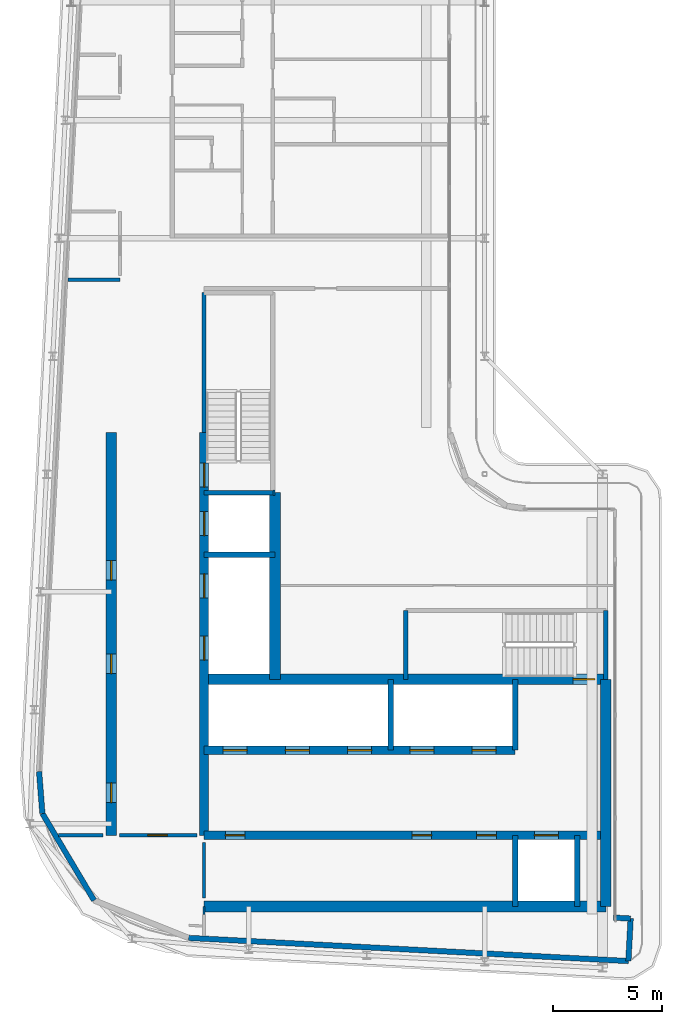
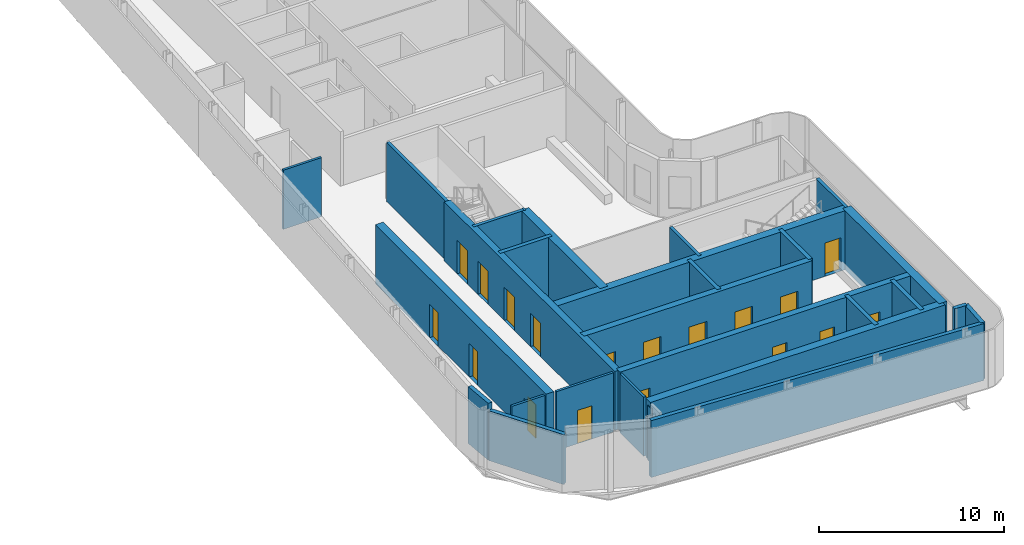
# One storey, part 9 of 19: 28 walls, 18 doors, 18 openings.
"""IFC4 building model written with IfcOpenShell, lengths in metres."""

from ifc_helpers import new_model, si_unit, direction, frame, frame_2d, origin, place, context, subcontext, project, spatial, rectangle, extrude, source, transform, mapped, material, layer, layer_set, type_object, element, fill, save


model = new_model("IFC4")

# Units and contexts
model_context = context("Model", 3, precision=1e-05, world=origin(), true_north=direction((0.0, 1.0)))
body_context = subcontext(model_context, "Body", "Model", "MODEL_VIEW")
ifc_project = project(units=[si_unit("LENGTHUNIT", "METRE"), si_unit("AREAUNIT", "SQUARE_METRE"), si_unit("VOLUMEUNIT", "CUBIC_METRE"), si_unit("PLANEANGLEUNIT", "RADIAN"), si_unit("MASSUNIT", "GRAM", prefix="KILO")], contexts=[model_context])

# Site, building, storey
site_placement = place(None, origin())
site = spatial("IfcSite", under=ifc_project, at=site_placement, CompositionType="ELEMENT")
building_placement = place(site_placement, origin())
building = spatial("IfcBuilding", under=site, at=building_placement, Name="Kheshtan School and Residences Tower", CompositionType="ELEMENT")
storey_placement = place(building_placement, frame((0.0, 0.0, 350.0)))
storey = spatial("IfcBuildingStorey", under=building, at=storey_placement, Name="L82", CompositionType="ELEMENT", Elevation=350.0)

# Wall, openings, doors
ifc_material_1 = material(Name="Concrete C50/60", Category="concrete")
ifc_layer_1 = layer(ifc_material_1, 0.39990234375)
ifc_layer_set_1 = layer_set([ifc_layer_1], Name="Core wall 400 Concrete C50/60")
wall_type_1 = type_object("IfcWallType", Name="Core wall 400 Concrete C50/60", PredefinedType="SHEAR", material=ifc_layer_set_1)
wall_1_placement = place(storey_placement, frame((34.75, 29.050048828125, 0.0), z_axis=(0.0, 0.0, 1.0), x_axis=(1.0, 0.0, 0.0)))
wall_1 = element("IfcWall", 1, at=wall_1_placement, inside=storey, type_object=wall_type_1, Name="Core wall CW-HALL-S1", PredefinedType="SHEAR", context=body_context, shape_type="SweptSolid", body=[
    extrude(rectangle(XDim=18.39990234375, YDim=0.39990234375, at=frame_2d((9.199951171875, 0.0))), origin(), (0.0, 0.0, 1.0), 3.89990234375),
])
opening_1_placement = place(wall_1_placement, frame((15.125, 0.0, 0.0)))
opening_1 = element("IfcOpeningElement", 2, at=opening_1_placement, cuts=wall_1, Name="Opening LD", PredefinedType="OPENING", context=body_context, shape_type="SweptSolid", body=[
    extrude(rectangle(XDim=1.10009765625, YDim=2.199951171875, at=frame_2d((0.550048828125, 1.10009765625))), frame((0.0, 0.2099609375, 0.0), z_axis=(0.0, -1.0, 0.0), x_axis=(1.0, 0.0, 0.0)), (0.0, 0.0, 1.0), 0.419921875),
])
opening_2_placement = place(wall_1_placement, frame((0.97509765625, 0.0, 0.0)))
opening_2 = element("IfcOpeningElement", 3, at=opening_2_placement, cuts=wall_1, Name="Opening SR90", PredefinedType="OPENING", context=body_context, shape_type="SweptSolid", body=[
    extrude(rectangle(XDim=0.89990234375, YDim=2.199951171875, at=frame_2d((0.449951171875, 1.10009765625))), frame((0.0, 0.2099609375, 0.0), z_axis=(0.0, -1.0, 0.0), x_axis=(1.0, 0.0, 0.0)), (0.0, 0.0, 1.0), 0.419921875),
])
opening_3_placement = place(wall_1_placement, frame((9.52490234375, 0.0, 0.0)))
opening_3 = element("IfcOpeningElement", 4, at=opening_3_placement, cuts=wall_1, Name="Opening SR90", PredefinedType="OPENING", context=body_context, shape_type="SweptSolid", body=[
    extrude(rectangle(XDim=0.89990234375, YDim=2.199951171875, at=frame_2d((0.449951171875, 1.10009765625))), frame((0.0, 0.2099609375, 0.0), z_axis=(0.0, -1.0, 0.0), x_axis=(1.0, 0.0, 0.0)), (0.0, 0.0, 1.0), 0.419921875),
])
opening_4_placement = place(wall_1_placement, frame((12.488037109375, 0.0, 0.0)))
opening_4 = element("IfcOpeningElement", 5, at=opening_4_placement, cuts=wall_1, Name="Opening SR90", PredefinedType="OPENING", context=body_context, shape_type="SweptSolid", body=[
    extrude(rectangle(XDim=0.89990234375, YDim=2.199951171875, at=frame_2d((0.449951171875, 1.10009765625))), frame((0.0, 0.2099609375, 0.0), z_axis=(0.0, -1.0, 0.0), x_axis=(1.0, 0.0, 0.0)), (0.0, 0.0, 1.0), 0.419921875),
])
ifc_material_2 = material(Name="Stainless steel door leaves", Category="steel")
door_type_1 = type_object("IfcDoorType", Name="Lift landing door 1100", OperationType="SLIDING_TO_LEFT", PredefinedType="DOOR", material=ifc_material_2)
shared_shape_1 = source(origin(), body_context, "Body", "SweptSolid", [
    extrude(rectangle(XDim=1.10009765625, YDim=2.199951171875, at=frame_2d((0.550048828125, 1.10009765625))), frame((0.0, 0.02490234375, 0.0), z_axis=(0.0, -1.0, 0.0), x_axis=(1.0, 0.0, 0.0)), (0.0, 0.0, 1.0), 0.050048828125),
])
door_1_placement = place(opening_1_placement, origin())
door_1 = element("IfcDoor", 6, at=door_1_placement, inside=storey, type_object=door_type_1, Name="Lift FFL2 landing door", OperationType="SLIDING_TO_LEFT", OverallHeight=2.199951171875, OverallWidth=1.10009765625, PredefinedType="DOOR", context=body_context, shape_type="MappedRepresentation", body=[
    mapped(shared_shape_1, transform((0.0, 0.0, 0.0), x_axis=(1.0, 0.0, 0.0), y_axis=(0.0, 1.0, 0.0), z_axis=(0.0, 0.0, 1.0), scale=1.0)),
])
fill(opening_1, door_1)
ifc_material_3 = material(Name="Steel door leaf, galvanised", Category="steel")
door_type_2 = type_object("IfcDoorType", Name="Service room door 900 steel 90 min", OperationType="SINGLE_SWING_LEFT", PredefinedType="DOOR", material=ifc_material_3)
shared_shape_2 = source(origin(), body_context, "Body", "SweptSolid", [
    extrude(rectangle(XDim=0.89990234375, YDim=2.199951171875, at=frame_2d((0.449951171875, 1.10009765625))), frame((0.0, 0.02490234375, 0.0), z_axis=(0.0, -1.0, 0.0), x_axis=(1.0, 0.0, 0.0)), (0.0, 0.0, 1.0), 0.050048828125),
])
door_2_placement = place(opening_2_placement, origin())
door_2 = element("IfcDoor", 7, at=door_2_placement, inside=storey, type_object=door_type_2, Name="Service room door", OperationType="SINGLE_SWING_LEFT", OverallHeight=2.199951171875, OverallWidth=0.89990234375, PredefinedType="DOOR", context=body_context, shape_type="MappedRepresentation", body=[
    mapped(shared_shape_2, transform((0.0, 0.0, 0.0), x_axis=(1.0, 0.0, 0.0), y_axis=(0.0, 1.0, 0.0), z_axis=(0.0, 0.0, 1.0), scale=1.0)),
])
fill(opening_2, door_2)
door_3_placement = place(opening_3_placement, origin())
door_3 = element("IfcDoor", 8, at=door_3_placement, inside=storey, type_object=door_type_2, Name="Service room door", OperationType="SINGLE_SWING_RIGHT", OverallHeight=2.199951171875, OverallWidth=0.89990234375, PredefinedType="DOOR", context=body_context, shape_type="MappedRepresentation", body=[
    mapped(shared_shape_2, transform((0.0, 0.0, 0.0), x_axis=(1.0, 0.0, 0.0), y_axis=(0.0, 1.0, 0.0), z_axis=(0.0, 0.0, 1.0), scale=1.0)),
])
fill(opening_3, door_3)
door_4_placement = place(opening_4_placement, origin())
door_4 = element("IfcDoor", 9, at=door_4_placement, inside=storey, type_object=door_type_2, Name="Service room door", OperationType="SINGLE_SWING_LEFT", OverallHeight=2.199951171875, OverallWidth=0.89990234375, PredefinedType="DOOR", context=body_context, shape_type="MappedRepresentation", body=[
    mapped(shared_shape_2, transform((0.0, 0.0, 0.0), x_axis=(1.0, 0.0, 0.0), y_axis=(0.0, 1.0, 0.0), z_axis=(0.0, 0.0, 1.0), scale=1.0)),
])
fill(opening_4, door_4)

wall_2_placement = place(storey_placement, frame((34.75, 32.949951171875, 0.0), z_axis=(0.0, 0.0, 1.0), x_axis=(1.0, 0.0, 0.0)))
wall_2 = element("IfcWall", 10, at=wall_2_placement, inside=storey, type_object=wall_type_1, Name="Core wall CW-HALL-S2", PredefinedType="SHEAR", context=body_context, shape_type="SweptSolid", body=[
    extrude(rectangle(XDim=14.25, YDim=0.39990234375, at=frame_2d((7.125, 0.0))), origin(), (0.0, 0.0, 1.0), 3.89990234375),
])
opening_5_placement = place(wall_2_placement, frame((0.875, 0.0, 0.0)))
opening_5 = element("IfcOpeningElement", 11, at=opening_5_placement, cuts=wall_2, Name="Opening LD", PredefinedType="OPENING", context=body_context, shape_type="SweptSolid", body=[
    extrude(rectangle(XDim=1.10009765625, YDim=2.199951171875, at=frame_2d((0.550048828125, 1.10009765625))), frame((0.0, 0.2099609375, 0.0), z_axis=(0.0, -1.0, 0.0), x_axis=(1.0, 0.0, 0.0)), (0.0, 0.0, 1.0), 0.419921875),
])
opening_6_placement = place(wall_2_placement, frame((3.72509765625, 0.0, 0.0)))
opening_6 = element("IfcOpeningElement", 12, at=opening_6_placement, cuts=wall_2, Name="Opening LD", PredefinedType="OPENING", context=body_context, shape_type="SweptSolid", body=[
    extrude(rectangle(XDim=1.10009765625, YDim=2.199951171875, at=frame_2d((0.550048828125, 1.10009765625))), frame((0.0, 0.2099609375, 0.0), z_axis=(0.0, -1.0, 0.0), x_axis=(1.0, 0.0, 0.0)), (0.0, 0.0, 1.0), 0.419921875),
])
opening_7_placement = place(wall_2_placement, frame((6.574951171875, 0.0, 0.0)))
opening_7 = element("IfcOpeningElement", 13, at=opening_7_placement, cuts=wall_2, Name="Opening LD", PredefinedType="OPENING", context=body_context, shape_type="SweptSolid", body=[
    extrude(rectangle(XDim=1.10009765625, YDim=2.199951171875, at=frame_2d((0.550048828125, 1.10009765625))), frame((0.0, 0.2099609375, 0.0), z_axis=(0.0, -1.0, 0.0), x_axis=(1.0, 0.0, 0.0)), (0.0, 0.0, 1.0), 0.419921875),
])
opening_8_placement = place(wall_2_placement, frame((9.425048828125, 0.0, 0.0)))
opening_8 = element("IfcOpeningElement", 14, at=opening_8_placement, cuts=wall_2, Name="Opening LD", PredefinedType="OPENING", context=body_context, shape_type="SweptSolid", body=[
    extrude(rectangle(XDim=1.10009765625, YDim=2.199951171875, at=frame_2d((0.550048828125, 1.10009765625))), frame((0.0, 0.2099609375, 0.0), z_axis=(0.0, -1.0, 0.0), x_axis=(1.0, 0.0, 0.0)), (0.0, 0.0, 1.0), 0.419921875),
])
opening_9_placement = place(wall_2_placement, frame((12.27490234375, 0.0, 0.0)))
opening_9 = element("IfcOpeningElement", 15, at=opening_9_placement, cuts=wall_2, Name="Opening LD", PredefinedType="OPENING", context=body_context, shape_type="SweptSolid", body=[
    extrude(rectangle(XDim=1.10009765625, YDim=2.199951171875, at=frame_2d((0.550048828125, 1.10009765625))), frame((0.0, 0.2099609375, 0.0), z_axis=(0.0, -1.0, 0.0), x_axis=(1.0, 0.0, 0.0)), (0.0, 0.0, 1.0), 0.419921875),
])
door_5_placement = place(opening_5_placement, origin())
door_5 = element("IfcDoor", 16, at=door_5_placement, inside=storey, type_object=door_type_1, Name="Lift P12 landing door", OperationType="SLIDING_TO_LEFT", OverallHeight=2.199951171875, OverallWidth=1.10009765625, PredefinedType="DOOR", context=body_context, shape_type="MappedRepresentation", body=[
    mapped(shared_shape_1, transform((0.0, 0.0, 0.0), x_axis=(1.0, 0.0, 0.0), y_axis=(0.0, 1.0, 0.0), z_axis=(0.0, 0.0, 1.0), scale=1.0)),
])
fill(opening_5, door_5)
door_6_placement = place(opening_6_placement, origin())
door_6 = element("IfcDoor", 17, at=door_6_placement, inside=storey, type_object=door_type_1, Name="Lift P13 landing door", OperationType="SLIDING_TO_LEFT", OverallHeight=2.199951171875, OverallWidth=1.10009765625, PredefinedType="DOOR", context=body_context, shape_type="MappedRepresentation", body=[
    mapped(shared_shape_1, transform((0.0, 0.0, 0.0), x_axis=(1.0, 0.0, 0.0), y_axis=(0.0, 1.0, 0.0), z_axis=(0.0, 0.0, 1.0), scale=1.0)),
])
fill(opening_6, door_6)
door_7_placement = place(opening_7_placement, origin())
door_7 = element("IfcDoor", 18, at=door_7_placement, inside=storey, type_object=door_type_1, Name="Lift P14 landing door", OperationType="SLIDING_TO_LEFT", OverallHeight=2.199951171875, OverallWidth=1.10009765625, PredefinedType="DOOR", context=body_context, shape_type="MappedRepresentation", body=[
    mapped(shared_shape_1, transform((0.0, 0.0, 0.0), x_axis=(1.0, 0.0, 0.0), y_axis=(0.0, 1.0, 0.0), z_axis=(0.0, 0.0, 1.0), scale=1.0)),
])
fill(opening_7, door_7)
door_8_placement = place(opening_8_placement, origin())
door_8 = element("IfcDoor", 19, at=door_8_placement, inside=storey, type_object=door_type_1, Name="Lift P15 landing door", OperationType="SLIDING_TO_LEFT", OverallHeight=2.199951171875, OverallWidth=1.10009765625, PredefinedType="DOOR", context=body_context, shape_type="MappedRepresentation", body=[
    mapped(shared_shape_1, transform((0.0, 0.0, 0.0), x_axis=(1.0, 0.0, 0.0), y_axis=(0.0, 1.0, 0.0), z_axis=(0.0, 0.0, 1.0), scale=1.0)),
])
fill(opening_8, door_8)
door_9_placement = place(opening_9_placement, origin())
door_9 = element("IfcDoor", 20, at=door_9_placement, inside=storey, type_object=door_type_1, Name="Lift P16 landing door", OperationType="SLIDING_TO_LEFT", OverallHeight=2.199951171875, OverallWidth=1.10009765625, PredefinedType="DOOR", context=body_context, shape_type="MappedRepresentation", body=[
    mapped(shared_shape_1, transform((0.0, 0.0, 0.0), x_axis=(1.0, 0.0, 0.0), y_axis=(0.0, 1.0, 0.0), z_axis=(0.0, 0.0, 1.0), scale=1.0)),
])
fill(opening_9, door_9)

wall_3_placement = place(storey_placement, frame((34.75, 29.050048828125, 0.0), z_axis=(0.0, 0.0, 1.0), x_axis=(0.0, 1.0, 0.0)))
wall_3 = element("IfcWall", 21, at=wall_3_placement, inside=storey, type_object=wall_type_1, Name="Core wall CW-HALL-W1", PredefinedType="SHEAR", context=body_context, shape_type="SweptSolid", body=[
    extrude(rectangle(XDim=18.449951171875, YDim=0.39990234375, at=frame_2d((9.22509765625, 0.0))), origin(), (0.0, 0.0, 1.0), 3.89990234375),
])
opening_10_placement = place(wall_3_placement, frame((8.02490234375, 0.0, 0.0)))
opening_10 = element("IfcOpeningElement", 22, at=opening_10_placement, cuts=wall_3, Name="Opening LD", PredefinedType="OPENING", context=body_context, shape_type="SweptSolid", body=[
    extrude(rectangle(XDim=1.10009765625, YDim=2.199951171875, at=frame_2d((0.550048828125, 1.10009765625))), frame((0.0, 0.2099609375, 0.0), z_axis=(0.0, -1.0, 0.0), x_axis=(1.0, 0.0, 0.0)), (0.0, 0.0, 1.0), 0.419921875),
])
opening_11_placement = place(wall_3_placement, frame((10.875, 0.0, 0.0)))
opening_11 = element("IfcOpeningElement", 23, at=opening_11_placement, cuts=wall_3, Name="Opening LD", PredefinedType="OPENING", context=body_context, shape_type="SweptSolid", body=[
    extrude(rectangle(XDim=1.10009765625, YDim=2.199951171875, at=frame_2d((0.550048828125, 1.10009765625))), frame((0.0, 0.2099609375, 0.0), z_axis=(0.0, -1.0, 0.0), x_axis=(1.0, 0.0, 0.0)), (0.0, 0.0, 1.0), 0.419921875),
])
opening_12_placement = place(wall_3_placement, frame((13.72509765625, 0.0, 0.0)))
opening_12 = element("IfcOpeningElement", 24, at=opening_12_placement, cuts=wall_3, Name="Opening LD", PredefinedType="OPENING", context=body_context, shape_type="SweptSolid", body=[
    extrude(rectangle(XDim=1.10009765625, YDim=2.199951171875, at=frame_2d((0.550048828125, 1.10009765625))), frame((0.0, 0.2099609375, 0.0), z_axis=(0.0, -1.0, 0.0), x_axis=(1.0, 0.0, 0.0)), (0.0, 0.0, 1.0), 0.419921875),
])
opening_13_placement = place(wall_3_placement, frame((15.949951171875, 0.0, 0.0)))
opening_13 = element("IfcOpeningElement", 25, at=opening_13_placement, cuts=wall_3, Name="Opening ST2D", PredefinedType="OPENING", context=body_context, shape_type="SweptSolid", body=[
    extrude(rectangle(XDim=1.10009765625, YDim=2.199951171875, at=frame_2d((0.550048828125, 1.10009765625))), frame((0.0, 0.2099609375, 0.0), z_axis=(0.0, -1.0, 0.0), x_axis=(1.0, 0.0, 0.0)), (0.0, 0.0, 1.0), 0.419921875),
])
door_10_placement = place(opening_10_placement, origin())
door_10 = element("IfcDoor", 26, at=door_10_placement, inside=storey, type_object=door_type_1, Name="Lift SV1 landing door", OperationType="SLIDING_TO_LEFT", OverallHeight=2.199951171875, OverallWidth=1.10009765625, PredefinedType="DOOR", context=body_context, shape_type="MappedRepresentation", body=[
    mapped(shared_shape_1, transform((0.0, 0.0, 0.0), x_axis=(1.0, 0.0, 0.0), y_axis=(0.0, 1.0, 0.0), z_axis=(0.0, 0.0, 1.0), scale=1.0)),
])
fill(opening_10, door_10)
door_11_placement = place(opening_11_placement, origin())
door_11 = element("IfcDoor", 27, at=door_11_placement, inside=storey, type_object=door_type_1, Name="Lift SV2 landing door", OperationType="SLIDING_TO_LEFT", OverallHeight=2.199951171875, OverallWidth=1.10009765625, PredefinedType="DOOR", context=body_context, shape_type="MappedRepresentation", body=[
    mapped(shared_shape_1, transform((0.0, 0.0, 0.0), x_axis=(1.0, 0.0, 0.0), y_axis=(0.0, 1.0, 0.0), z_axis=(0.0, 0.0, 1.0), scale=1.0)),
])
fill(opening_11, door_11)
door_12_placement = place(opening_12_placement, origin())
door_12 = element("IfcDoor", 28, at=door_12_placement, inside=storey, type_object=door_type_1, Name="Lift FFL1 landing door", OperationType="SLIDING_TO_LEFT", OverallHeight=2.199951171875, OverallWidth=1.10009765625, PredefinedType="DOOR", context=body_context, shape_type="MappedRepresentation", body=[
    mapped(shared_shape_1, transform((0.0, 0.0, 0.0), x_axis=(1.0, 0.0, 0.0), y_axis=(0.0, 1.0, 0.0), z_axis=(0.0, 0.0, 1.0), scale=1.0)),
])
fill(opening_12, door_12)
door_type_3 = type_object("IfcDoorType", Name="Stair door 1100 steel 90 min", OperationType="SINGLE_SWING_LEFT", PredefinedType="DOOR", material=ifc_material_3)
shared_shape_3 = source(origin(), body_context, "Body", "SweptSolid", [
    extrude(rectangle(XDim=1.10009765625, YDim=2.199951171875, at=frame_2d((0.550048828125, 1.10009765625))), frame((0.0, 0.02490234375, 0.0), z_axis=(0.0, -1.0, 0.0), x_axis=(1.0, 0.0, 0.0)), (0.0, 0.0, 1.0), 0.050048828125),
])
door_13_placement = place(opening_13_placement, origin())
door_13 = element("IfcDoor", 29, at=door_13_placement, inside=storey, type_object=door_type_3, Name="Stair ST2 door", OperationType="SINGLE_SWING_RIGHT", OverallHeight=2.199951171875, OverallWidth=1.10009765625, PredefinedType="DOOR", context=body_context, shape_type="MappedRepresentation", body=[
    mapped(shared_shape_3, transform((0.0, 0.0, 0.0), x_axis=(1.0, 0.0, 0.0), y_axis=(0.0, 1.0, 0.0), z_axis=(0.0, 0.0, 1.0), scale=1.0)),
])
fill(opening_13, door_13)

# Wall
ifc_layer_2 = layer(ifc_material_1, 0.5)
ifc_layer_set_2 = layer_set([ifc_layer_2], Name="Core wall 500 Concrete C50/60")
wall_type_2 = type_object("IfcWallType", Name="Core wall 500 Concrete C50/60", PredefinedType="SHEAR", material=ifc_layer_set_2)
wall_4_placement = place(storey_placement, frame((34.75, 25.800048828125, 0.0), z_axis=(0.0, 0.0, 1.0), x_axis=(1.0, 0.0, 0.0)))
element("IfcWall", 30, at=wall_4_placement, inside=storey, type_object=wall_type_2, Name="Core wall CW-REAR-S", PredefinedType="SHEAR", context=body_context, shape_type="SweptSolid", body=[
    extrude(rectangle(XDim=18.39990234375, YDim=0.5, at=frame_2d((9.199951171875, 0.0))), origin(), (0.0, 0.0, 1.0), 3.89990234375),
])

# Wall, opening, door
wall_5_placement = place(storey_placement, frame((34.75, 36.199951171875, 0.0), z_axis=(0.0, 0.0, 1.0), x_axis=(1.0, 0.0, 0.0)))
wall_5 = element("IfcWall", 31, at=wall_5_placement, inside=storey, type_object=wall_type_2, Name="Core wall CW-FRONT-S", PredefinedType="SHEAR", context=body_context, shape_type="SweptSolid", body=[
    extrude(rectangle(XDim=18.39990234375, YDim=0.5, at=frame_2d((9.199951171875, 0.0))), origin(), (0.0, 0.0, 1.0), 3.89990234375),
])
opening_14_placement = place(wall_5_placement, frame((16.89990234375, 0.0, 0.0)))
opening_14 = element("IfcOpeningElement", 32, at=opening_14_placement, cuts=wall_5, Name="Opening ST1D", PredefinedType="OPENING", context=body_context, shape_type="SweptSolid", body=[
    extrude(rectangle(XDim=1.0, YDim=2.199951171875, at=frame_2d((0.5, 1.10009765625))), frame((0.0, 0.260009765625, 0.0), z_axis=(0.0, -1.0, 0.0), x_axis=(1.0, 0.0, 0.0)), (0.0, 0.0, 1.0), 0.52001953125),
])
shared_shape_4 = source(origin(), body_context, "Body", "SweptSolid", [
    extrude(rectangle(XDim=1.0, YDim=2.199951171875, at=frame_2d((0.5, 1.10009765625))), frame((0.0, 0.02490234375, 0.0), z_axis=(0.0, -1.0, 0.0), x_axis=(1.0, 0.0, 0.0)), (0.0, 0.0, 1.0), 0.050048828125),
])
door_14_placement = place(opening_14_placement, origin())
door_14 = element("IfcDoor", 33, at=door_14_placement, inside=storey, type_object=door_type_3, Name="Stair ST1 door", OperationType="SINGLE_SWING_RIGHT", OverallHeight=2.199951171875, OverallWidth=1.0, PredefinedType="DOOR", context=body_context, shape_type="MappedRepresentation", body=[
    mapped(shared_shape_4, transform((0.0, 0.0, 0.0), x_axis=(1.0, 0.0, 0.0), y_axis=(0.0, 1.0, 0.0), z_axis=(0.0, 0.0, 1.0), scale=1.0)),
])
fill(opening_14, door_14)

# Wall
wall_6_placement = place(storey_placement, frame((38.0, 36.199951171875, 0.0), z_axis=(0.0, 0.0, 1.0), x_axis=(0.0, 1.0, 0.0)))
element("IfcWall", 34, at=wall_6_placement, inside=storey, type_object=wall_type_2, Name="Core wall CW-FRONT-W", PredefinedType="SHEAR", context=body_context, shape_type="SweptSolid", body=[
    extrude(rectangle(XDim=8.550048828125, YDim=0.5, at=frame_2d((4.27490234375, 0.0))), origin(), (0.0, 0.0, 1.0), 3.89990234375),
])

# Wall, openings, doors
wall_7_placement = place(storey_placement, frame((30.5, 29.050048828125, 0.0), z_axis=(0.0, 0.0, 1.0), x_axis=(0.0, 1.0, 0.0)))
wall_7 = element("IfcWall", 35, at=wall_7_placement, inside=storey, type_object=wall_type_2, Name="Core wall CW-REAR-W", PredefinedType="SHEAR", context=body_context, shape_type="SweptSolid", body=[
    extrude(rectangle(XDim=18.449951171875, YDim=0.5, at=frame_2d((9.22509765625, 0.0))), origin(), (0.0, 0.0, 1.0), 3.89990234375),
])
opening_15_placement = place(wall_7_placement, frame((1.5, 0.0, 0.0)))
opening_15 = element("IfcOpeningElement", 36, at=opening_15_placement, cuts=wall_7, Name="Opening SR90", PredefinedType="OPENING", context=body_context, shape_type="SweptSolid", body=[
    extrude(rectangle(XDim=0.89990234375, YDim=2.199951171875, at=frame_2d((0.449951171875, 1.10009765625))), frame((0.0, 0.260009765625, 0.0), z_axis=(0.0, -1.0, 0.0), x_axis=(1.0, 0.0, 0.0)), (0.0, 0.0, 1.0), 0.52001953125),
])
opening_16_placement = place(wall_7_placement, frame((7.406005859375, 0.0, 0.0)))
opening_16 = element("IfcOpeningElement", 37, at=opening_16_placement, cuts=wall_7, Name="Opening SR90", PredefinedType="OPENING", context=body_context, shape_type="SweptSolid", body=[
    extrude(rectangle(XDim=0.89990234375, YDim=2.199951171875, at=frame_2d((0.449951171875, 1.10009765625))), frame((0.0, 0.260009765625, 0.0), z_axis=(0.0, -1.0, 0.0), x_axis=(1.0, 0.0, 0.0)), (0.0, 0.0, 1.0), 0.52001953125),
])
opening_17_placement = place(wall_7_placement, frame((11.68798828125, 0.0, 0.0)))
opening_17 = element("IfcOpeningElement", 38, at=opening_17_placement, cuts=wall_7, Name="Opening SR90", PredefinedType="OPENING", context=body_context, shape_type="SweptSolid", body=[
    extrude(rectangle(XDim=0.89990234375, YDim=2.199951171875, at=frame_2d((0.449951171875, 1.10009765625))), frame((0.0, 0.260009765625, 0.0), z_axis=(0.0, -1.0, 0.0), x_axis=(1.0, 0.0, 0.0)), (0.0, 0.0, 1.0), 0.52001953125),
])
door_15_placement = place(opening_15_placement, origin())
door_15 = element("IfcDoor", 39, at=door_15_placement, inside=storey, type_object=door_type_2, Name="Service room door", OperationType="SINGLE_SWING_LEFT", OverallHeight=2.199951171875, OverallWidth=0.89990234375, PredefinedType="DOOR", context=body_context, shape_type="MappedRepresentation", body=[
    mapped(shared_shape_2, transform((0.0, 0.0, 0.0), x_axis=(1.0, 0.0, 0.0), y_axis=(0.0, 1.0, 0.0), z_axis=(0.0, 0.0, 1.0), scale=1.0)),
])
fill(opening_15, door_15)
door_16_placement = place(opening_16_placement, origin())
door_16 = element("IfcDoor", 40, at=door_16_placement, inside=storey, type_object=door_type_2, Name="Service room door", OperationType="SINGLE_SWING_RIGHT", OverallHeight=2.199951171875, OverallWidth=0.89990234375, PredefinedType="DOOR", context=body_context, shape_type="MappedRepresentation", body=[
    mapped(shared_shape_2, transform((0.0, 0.0, 0.0), x_axis=(1.0, 0.0, 0.0), y_axis=(0.0, 1.0, 0.0), z_axis=(0.0, 0.0, 1.0), scale=1.0)),
])
fill(opening_16, door_16)
door_17_placement = place(opening_17_placement, origin())
door_17 = element("IfcDoor", 41, at=door_17_placement, inside=storey, type_object=door_type_2, Name="Service room door", OperationType="SINGLE_SWING_LEFT", OverallHeight=2.199951171875, OverallWidth=0.89990234375, PredefinedType="DOOR", context=body_context, shape_type="MappedRepresentation", body=[
    mapped(shared_shape_2, transform((0.0, 0.0, 0.0), x_axis=(1.0, 0.0, 0.0), y_axis=(0.0, 1.0, 0.0), z_axis=(0.0, 0.0, 1.0), scale=1.0)),
])
fill(opening_17, door_17)

# Walls
wall_8_placement = place(storey_placement, frame((53.14990234375, 25.800048828125, 0.0), z_axis=(0.0, 0.0, 1.0), x_axis=(0.0, 1.0, 0.0)))
element("IfcWall", 42, at=wall_8_placement, inside=storey, type_object=wall_type_2, Name="Core wall CW-EAST", PredefinedType="SHEAR", context=body_context, shape_type="SweptSolid", body=[
    extrude(rectangle(XDim=10.39990234375, YDim=0.5, at=frame_2d((5.199951171875, 0.0))), origin(), (0.0, 0.0, 1.0), 3.89990234375),
])
ifc_material_4 = material(Name="Concrete C40/50 with ceramic cladding and mineral wool insulation", Category="concrete")
ifc_layer_3 = layer(ifc_material_4, 0.25)
ifc_layer_set_3 = layer_set([ifc_layer_3], Name="External wall 250 ceramic clad")
wall_type_3 = type_object("IfcWallType", Name="External wall 250 ceramic clad", PredefinedType="SOLIDWALL", material=ifc_layer_set_3)
wall_9_placement = place(storey_placement, frame((53.507080078125, 25.281005859375, 0.0), z_axis=(0.0, 0.0, 1.0), x_axis=(0.998561284263, -0.053622398031, 0.0)))
element("IfcWall", 43, at=wall_9_placement, inside=storey, type_object=wall_type_3, Name="External wall L82 10", PredefinedType="SOLIDWALL", context=body_context, shape_type="SweptSolid", body=[
    extrude(rectangle(XDim=0.783203125, YDim=0.25, at=frame_2d((0.3916015625, 0.0))), origin(), (0.0, 0.0, 1.0), 3.75),
])
wall_10_placement = place(storey_placement, frame((54.2890625, 25.239013671875, 0.0), z_axis=(0.0, 0.0, 1.0), x_axis=(-0.052841433274, -0.998602915542, 0.0)))
element("IfcWall", 44, at=wall_10_placement, inside=storey, type_object=wall_type_3, Name="External wall L82 11", PredefinedType="SOLIDWALL", context=body_context, shape_type="SweptSolid", body=[
    extrude(rectangle(XDim=1.94970703125, YDim=0.25, at=frame_2d((0.974853515625, 0.0))), origin(), (0.0, 0.0, 1.0), 3.75),
])
wall_11_placement = place(storey_placement, frame((54.18603515625, 23.2919921875, 0.0), z_axis=(0.0, 0.0, 1.0), x_axis=(-0.998616090491, 0.052591860707, 0.0)))
element("IfcWall", 45, at=wall_11_placement, inside=storey, type_object=wall_type_3, Name="External wall L82 12", PredefinedType="SOLIDWALL", context=body_context, shape_type="SweptSolid", body=[
    extrude(rectangle(XDim=20.1748046875, YDim=0.25, at=frame_2d((10.08740234375, 0.0))), origin(), (0.0, 0.0, 1.0), 3.75),
])
wall_12_placement = place(storey_placement, frame((29.7119140625, 26.072021484375, 0.0), z_axis=(0.0, 0.0, 1.0), x_axis=(-0.511028049012, 0.859564036662, 0.0)))
element("IfcWall", 46, at=wall_12_placement, inside=storey, type_object=wall_type_3, Name="External wall L82 14", PredefinedType="SOLIDWALL", context=body_context, shape_type="SweptSolid", body=[
    extrude(rectangle(XDim=4.633544921875, YDim=0.25, at=frame_2d((2.31689453125, 0.0))), origin(), (0.0, 0.0, 1.0), 3.29296875),
])
wall_13_placement = place(storey_placement, frame((27.343994140625, 30.054931640625, 0.0), z_axis=(0.0, 0.0, 1.0), x_axis=(-0.077571675317, 0.99698677784, 0.0)))
element("IfcWall", 47, at=wall_13_placement, inside=storey, type_object=wall_type_3, Name="External wall L82 15", PredefinedType="SOLIDWALL", context=body_context, shape_type="SweptSolid", body=[
    extrude(rectangle(XDim=1.919921875, YDim=0.25, at=frame_2d((0.9599609375, 0.0))), origin(), (0.0, 0.0, 1.0), 3.75),
])
ifc_material_5 = material(Name="Gypsum board on steel studs", Category="steel")
ifc_layer_4 = layer(ifc_material_5, 0.10009765625)
ifc_layer_set_4 = layer_set([ifc_layer_4], Name="Gypsum partition 100")
wall_type_4 = type_object("IfcWallType", Name="Gypsum partition 100", PredefinedType="PARTITIONING", material=ifc_layer_set_4)
wall_14_placement = place(storey_placement, frame((34.75, 25.428955078125, 0.0), z_axis=(0.0, 0.0, 1.0), x_axis=(0.0, 1.0, 0.0)))
element("IfcWall", 48, at=wall_14_placement, inside=storey, type_object=wall_type_4, Name="Partition L82-016", PredefinedType="PARTITIONING", context=body_context, shape_type="SweptSolid", body=[
    extrude(rectangle(XDim=0.37109375, YDim=0.10009765625, at=frame_2d((0.185546875, 0.0))), origin(), (0.0, 0.0, 1.0), 3.60009765625),
])
ifc_material_6 = material(Name="Fire-board shaft wall system")
ifc_layer_5 = layer(ifc_material_6, 0.14990234375)
ifc_layer_set_5 = layer_set([ifc_layer_5], Name="Service room wall 150")
wall_type_5 = type_object("IfcWallType", Name="Service room wall 150", PredefinedType="PARTITIONING", material=ifc_layer_set_5)
wall_15_placement = place(storey_placement, frame((34.75, 26.169921875, 0.0), z_axis=(0.0, 0.0, 1.0), x_axis=(0.0, 1.0, 0.0)))
element("IfcWall", 49, at=wall_15_placement, inside=storey, type_object=wall_type_5, Name="Service room wall", PredefinedType="PARTITIONING", context=body_context, shape_type="SweptSolid", body=[
    extrude(rectangle(XDim=2.56005859375, YDim=0.14990234375, at=frame_2d((1.280029296875, 0.0))), origin(), (0.0, 0.0, 1.0), 3.89990234375),
])
wall_16_placement = place(storey_placement, frame((28.089111328125, 29.050048828125, 0.0), z_axis=(0.0, 0.0, 1.0), x_axis=(1.0, 0.0, 0.0)))
element("IfcWall", 50, at=wall_16_placement, inside=storey, type_object=wall_type_5, Name="Service room wall", PredefinedType="PARTITIONING", context=body_context, shape_type="SweptSolid", body=[
    extrude(rectangle(XDim=2.040771484375, YDim=0.14990234375, at=frame_2d((1.0205078125, 0.0))), origin(), (0.0, 0.0, 1.0), 3.89990234375),
])

# Wall, opening, door
wall_17_placement = place(storey_placement, frame((30.8701171875, 29.050048828125, 0.0), z_axis=(0.0, 0.0, 1.0), x_axis=(1.0, 0.0, 0.0)))
wall_17 = element("IfcWall", 51, at=wall_17_placement, inside=storey, type_object=wall_type_5, Name="Service room wall", PredefinedType="PARTITIONING", context=body_context, shape_type="SweptSolid", body=[
    extrude(rectangle(XDim=3.559814453125, YDim=0.14990234375, at=frame_2d((1.77978515625, 0.0))), origin(), (0.0, 0.0, 1.0), 3.89990234375),
])
opening_18_placement = place(wall_17_placement, frame((1.304931640625, 0.0, 0.0)))
opening_18 = element("IfcOpeningElement", 52, at=opening_18_placement, cuts=wall_17, Name="Opening SR90", PredefinedType="OPENING", context=body_context, shape_type="SweptSolid", body=[
    extrude(rectangle(XDim=0.89990234375, YDim=2.199951171875, at=frame_2d((0.449951171875, 1.10009765625))), frame((0.0, 0.0849609375, 0.0), z_axis=(0.0, -1.0, 0.0), x_axis=(1.0, 0.0, 0.0)), (0.0, 0.0, 1.0), 0.169921875),
])
door_18_placement = place(opening_18_placement, origin())
door_18 = element("IfcDoor", 53, at=door_18_placement, inside=storey, type_object=door_type_2, Name="Service room door", OperationType="SINGLE_SWING_RIGHT", OverallHeight=2.199951171875, OverallWidth=0.89990234375, PredefinedType="DOOR", context=body_context, shape_type="MappedRepresentation", body=[
    mapped(shared_shape_2, transform((0.0, 0.0, 0.0), x_axis=(1.0, 0.0, 0.0), y_axis=(0.0, 1.0, 0.0), z_axis=(0.0, 0.0, 1.0), scale=1.0)),
])
fill(opening_18, door_18)

# Walls
wall_18_placement = place(storey_placement, frame((28.508056640625, 54.5, 0.0), z_axis=(0.0, 0.0, 1.0), x_axis=(1.0, 0.0, 0.0)))
element("IfcWall", 54, at=wall_18_placement, inside=storey, type_object=wall_type_5, Name="Service room wall", PredefinedType="PARTITIONING", context=body_context, shape_type="SweptSolid", body=[
    extrude(rectangle(XDim=2.391845703125, YDim=0.14990234375, at=frame_2d((1.19580078125, 0.0))), origin(), (0.0, 0.0, 1.0), 3.89990234375),
])
ifc_layer_6 = layer(ifc_material_6, 0.25)
ifc_layer_set_6 = layer_set([ifc_layer_6], Name="Shaft lining wall 250")
wall_type_6 = type_object("IfcWallType", Name="Shaft lining wall 250", PredefinedType="PARTITIONING", material=ifc_layer_set_6)
for number, where, z_axis, x_axis, name in (
    (55, (43.300048828125, 32.949951171875, 0.0), (0.0, 0.0, 1.0), (0.0, 1.0, 0.0), "Shaft lining wall"),
    (56, (49.0, 25.800048828125, 0.0), (0.0, 0.0, 1.0), (0.0, 1.0, 0.0), "Shaft lining wall"),
    (57, (49.0, 32.949951171875, 0.0), (0.0, 0.0, 1.0), (0.0, 1.0, 0.0), "Shaft lining wall"),
    (58, (51.85009765625, 25.800048828125, 0.0), (0.0, 0.0, 1.0), (0.0, 1.0, 0.0), "Shaft lining wall"),
    (59, (34.75, 41.89990234375, 0.0), (0.0, 0.0, 1.0), (1.0, 0.0, 0.0), "Shaft lining wall"),
):
    element("IfcWall", number, at=place(storey_placement, frame(where, z_axis=z_axis, x_axis=x_axis)), inside=storey, type_object=wall_type_6, Name=name, PredefinedType="PARTITIONING", context=body_context, shape_type="SweptSolid", body=[
        extrude(rectangle(XDim=3.25, YDim=0.25, at=frame_2d((1.625, 0.0))), origin(), (0.0, 0.0, 1.0), 3.89990234375),
    ])
wall_19_placement = place(storey_placement, frame((37.89990234375, 44.75, 0.0), z_axis=(0.0, 0.0, 1.0), x_axis=(1.0, 0.0, 0.0)))
element("IfcWall", 60, at=wall_19_placement, inside=storey, type_object=wall_type_6, Name="Shaft lining wall", PredefinedType="PARTITIONING", context=body_context, shape_type="SweptSolid", body=[
    extrude(rectangle(XDim=0.10009765625, YDim=0.25, at=frame_2d((0.050048828125, 0.0))), origin(), (0.0, 0.0, 1.0), 3.89990234375),
])
ifc_material_7 = material(Name="Concrete C40/50", Category="concrete")
ifc_layer_7 = layer(ifc_material_7, 0.199951171875)
ifc_layer_set_7 = layer_set([ifc_layer_7], Name="Stair enclosure wall 200 Concrete C40/50")
wall_type_7 = type_object("IfcWallType", Name="Stair enclosure wall 200 Concrete C40/50", PredefinedType="SHEAR", material=ifc_layer_set_7)
for number, where, z_axis, x_axis, name in (
    (61, (43.989990234375, 36.199951171875, 0.0), (0.0, 0.0, 1.0), (0.0, 1.0, 0.0), "Stair enclosure wall ST1"),
    (62, (53.14990234375, 36.199951171875, 0.0), (0.0, 0.0, 1.0), (0.0, 1.0, 0.0), "Stair enclosure wall ST1"),
):
    element("IfcWall", number, at=place(storey_placement, frame(where, z_axis=z_axis, x_axis=x_axis)), inside=storey, type_object=wall_type_7, Name=name, PredefinedType="SHEAR", context=body_context, shape_type="SweptSolid", body=[
        extrude(rectangle(XDim=3.150146484375, YDim=0.199951171875, at=frame_2d((1.5751953125, 0.0))), origin(), (0.0, 0.0, 1.0), 3.89990234375),
    ])
wall_20_placement = place(storey_placement, frame((34.75, 44.75, 0.0), z_axis=(0.0, 0.0, 1.0), x_axis=(1.0, 0.0, 0.0)))
element("IfcWall", 63, at=wall_20_placement, inside=storey, type_object=wall_type_7, Name="Stair enclosure wall ST2", PredefinedType="SHEAR", context=body_context, shape_type="SweptSolid", body=[
    extrude(rectangle(XDim=3.14990234375, YDim=0.199951171875, at=frame_2d((1.574951171875, 0.0))), origin(), (0.0, 0.0, 1.0), 3.89990234375),
])
wall_21_placement = place(storey_placement, frame((34.75, 47.5, 0.0), z_axis=(0.0, 0.0, 1.0), x_axis=(0.0, 1.0, 0.0)))
element("IfcWall", 64, at=wall_21_placement, inside=storey, type_object=wall_type_7, Name="Stair enclosure wall ST2", PredefinedType="SHEAR", context=body_context, shape_type="SweptSolid", body=[
    extrude(rectangle(XDim=6.409912109375, YDim=0.199951171875, at=frame_2d((3.205078125, 0.0))), origin(), (0.0, 0.0, 1.0), 3.89990234375),
])

save(model, "model.ifc")
